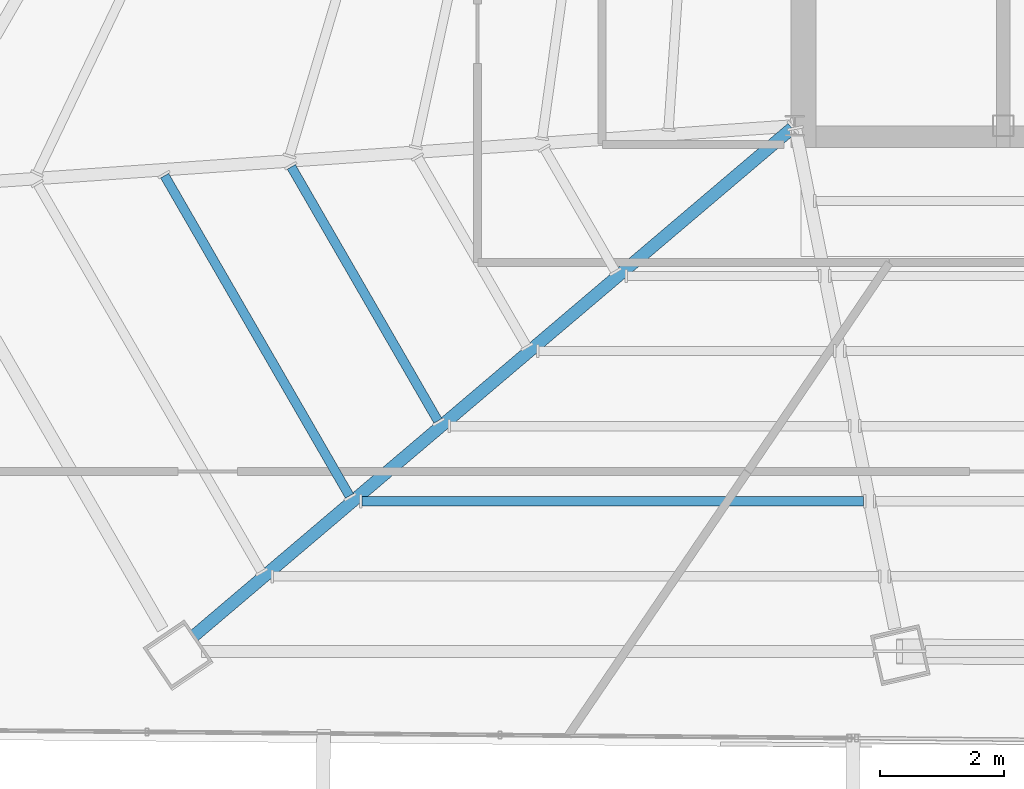
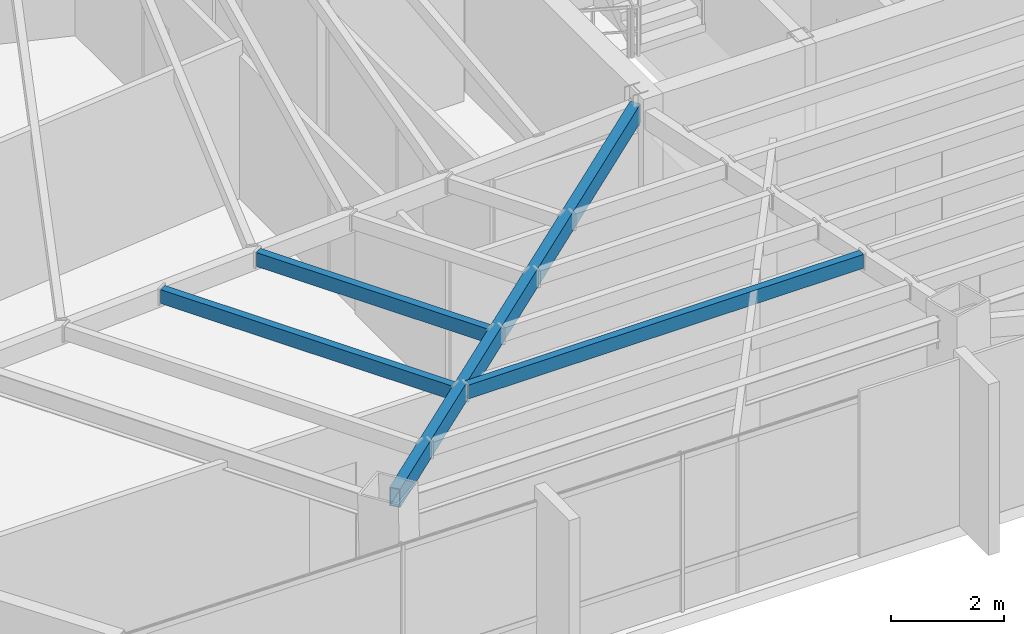
# One storey, part 6 of 49: 4 beams.
"""IFC4 building model written with IfcOpenShell, lengths in metres."""

from ifc_helpers import new_model, si_unit, direction, frame, origin, origin_2d, place, context, subcontext, project, spatial, hollow_rectangle, extrude, source, transform, mapped, material, material_profile, profile_set, type_object, type_shapes, element, save


model = new_model("IFC4")

# Units and contexts
model_context = context("Model", 3, precision=1e-05, world=origin(), true_north=direction((0.0, 1.0)))
body_context = subcontext(model_context, "Body", "Model", "MODEL_VIEW")
ifc_project = project(units=[si_unit("LENGTHUNIT", "METRE"), si_unit("AREAUNIT", "SQUARE_METRE"), si_unit("VOLUMEUNIT", "CUBIC_METRE"), si_unit("PLANEANGLEUNIT", "RADIAN"), si_unit("MASSUNIT", "GRAM", prefix="KILO")], contexts=[model_context])

# Site, building, storey
site_placement = place(None, origin())
site = spatial("IfcSite", under=ifc_project, at=site_placement, CompositionType="ELEMENT")
building_placement = place(site_placement, origin())
building = spatial("IfcBuilding", under=site, at=building_placement, Name="Caelisora Broadcast Tower", CompositionType="ELEMENT")
storey_placement = place(building_placement, frame((0.0, 0.0, 233.5)))
storey = spatial("IfcBuildingStorey", under=building, at=storey_placement, Name="L61", CompositionType="ELEMENT", Elevation=233.5)

# Beams
ifc_material = material(Name="Steel Grade 350 (AS/NZS 1163 C350L0)", Category="steel")
ifc_material_profile_1 = material_profile(ifc_material, hollow_rectangle(XDim=0.199951171875, YDim=0.39990234375, WallThickness=0.012451171875, at=origin_2d()), Name="Steel Grade 350 (AS/NZS 1163 C350L0)")
ifc_profile_set_1 = profile_set([ifc_material_profile_1], Name="Steel Grade 350 (AS/NZS 1163 C350L0)")
beam_type_1 = type_object("IfcBeamType", Name="PG07", PredefinedType="BEAM", material=ifc_profile_set_1)
shared_shape_1 = source(origin(), body_context, "Body", "SweptSolid", [
    extrude(hollow_rectangle(XDim=0.199951171875, YDim=0.39990234375, WallThickness=0.012451171875, at=origin_2d()), origin(), (0.0, 0.0, 1.0), 12.62109375),
])
type_shapes(beam_type_1, [shared_shape_1])
beam_1_placement = place(storey_placement, frame((30.454345703125, 17.361083984375, 3.199951171875), z_axis=(-0.762397791286, -0.647108652269, 0.0), x_axis=(0.647108652269, -0.762397791286, 0.0)))
element("IfcBeam", 1, at=beam_1_placement, inside=storey, type_object=beam_type_1, Name="L61 beam PG07", PredefinedType="BEAM", context=body_context, shape_type="MappedRepresentation", body=[
    mapped(shared_shape_1, transform((0.0, 0.0, 0.0), scale=1.0)),
])
ifc_material_profile_2 = material_profile(ifc_material, hollow_rectangle(XDim=0.14990234375, YDim=0.300048828125, WallThickness=0.010009765625, at=origin_2d()), Name="Steel Grade 350 (AS/NZS 1163 C350L0)")
ifc_profile_set_2 = profile_set([ifc_material_profile_2], Name="Steel Grade 350 (AS/NZS 1163 C350L0)")
beam_type_2 = type_object("IfcBeamType", Name="SB05", PredefinedType="JOIST", material=ifc_profile_set_2)
shared_shape_2 = source(origin(), body_context, "Body", "SweptSolid", [
    extrude(hollow_rectangle(XDim=0.14990234375, YDim=0.300048828125, WallThickness=0.010009765625, at=origin_2d()), origin(), (0.0, 0.0, 1.0), 4.714111328125),
])
beam_2_placement = place(storey_placement, frame((22.4052734375, 16.73974609375, 3.25), z_axis=(0.500021316084, -0.866013096588, 0.0), x_axis=(0.866013096588, 0.500021316084, 0.0)))
element("IfcBeam", 2, at=beam_2_placement, inside=storey, type_object=beam_type_2, Name="L61 beam SB05", PredefinedType="JOIST", context=body_context, shape_type="MappedRepresentation", body=[
    mapped(shared_shape_2, transform((0.0, 0.0, 0.0), scale=1.0)),
])
shared_shape_3 = source(origin(), body_context, "Body", "SweptSolid", [
    extrude(hollow_rectangle(XDim=0.14990234375, YDim=0.300048828125, WallThickness=0.010009765625, at=origin_2d()), origin(), (0.0, 0.0, 1.0), 5.9443359375),
])
beam_3_placement = place(storey_placement, frame((20.3681640625, 16.59814453125, 3.25), z_axis=(0.499999760469, -0.866025542078, 0.0), x_axis=(0.866025542078, 0.499999760469, 0.0)))
element("IfcBeam", 3, at=beam_3_placement, inside=storey, type_object=beam_type_2, Name="L61 beam SB05", PredefinedType="JOIST", context=body_context, shape_type="MappedRepresentation", body=[
    mapped(shared_shape_3, transform((0.0, 0.0, 0.0), scale=1.0)),
])
shared_shape_4 = source(origin(), body_context, "Body", "SweptSolid", [
    extrude(hollow_rectangle(XDim=0.14990234375, YDim=0.300048828125, WallThickness=0.010009765625, at=origin_2d()), origin(), (0.0, 0.0, 1.0), 8.061279296875),
])
type_shapes(beam_type_2, [shared_shape_2, shared_shape_3, shared_shape_4])
beam_4_placement = place(storey_placement, frame((23.541015625, 11.36474609375, 3.25), z_axis=(1.0, 0.0, 0.0), x_axis=(0.0, 1.0, 0.0)))
element("IfcBeam", 4, at=beam_4_placement, inside=storey, type_object=beam_type_2, Name="L61 beam SB05", PredefinedType="JOIST", context=body_context, shape_type="MappedRepresentation", body=[
    mapped(shared_shape_4, transform((0.0, 0.0, 0.0), scale=1.0)),
])

save(model, "model.ifc")
